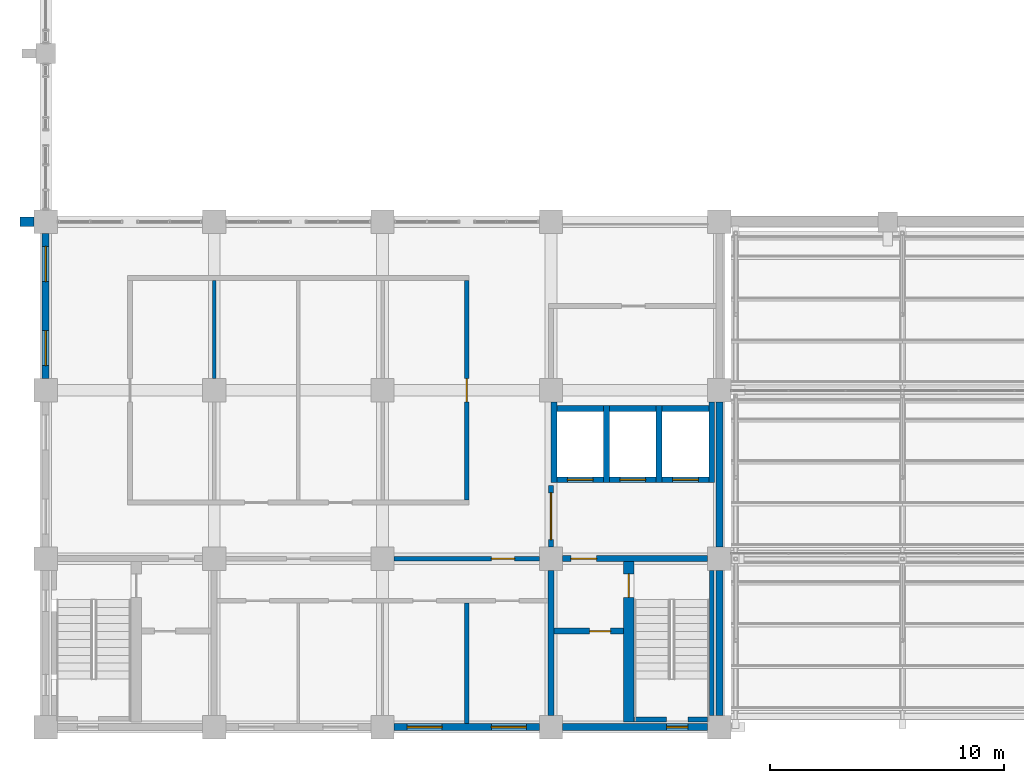
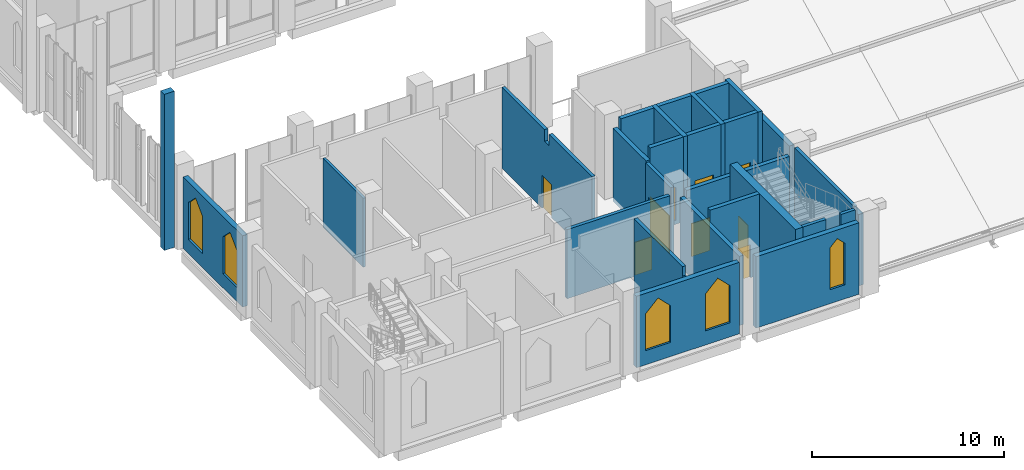
# One storey, part 70 of 83: 28 walls, 9 doors, 5 windows, 14 openings.
"""IFC4 building model written with IfcOpenShell, lengths in metres."""

from ifc_helpers import new_model, si_unit, direction, frame, frame_2d, origin, place, context, subcontext, project, spatial, polyline, rectangle, outline, extrude, material, layer, layer_set, type_object, element, fill, save


model = new_model("IFC4")

# Units and contexts
model_context = context("Model", 3, precision=1e-05, world=origin(), true_north=direction((0.0, 1.0)))
body_context = subcontext(model_context, "Body", "Model", "MODEL_VIEW")
ifc_project = project(units=[si_unit("LENGTHUNIT", "METRE"), si_unit("AREAUNIT", "SQUARE_METRE"), si_unit("VOLUMEUNIT", "CUBIC_METRE"), si_unit("PLANEANGLEUNIT", "RADIAN"), si_unit("MASSUNIT", "GRAM", prefix="KILO")], contexts=[model_context])

# Site, building, storey
site_placement = place(None, origin())
site = spatial("IfcSite", under=ifc_project, at=site_placement, CompositionType="ELEMENT")
building_placement = place(site_placement, origin())
building = spatial("IfcBuilding", under=site, at=building_placement, Name="Silangan Lancet Faculty of Sciences", CompositionType="ELEMENT")
storey_placement = place(building_placement, frame((0.0, 0.0, 11.39990234375)))
storey = spatial("IfcBuildingStorey", under=building, at=storey_placement, Name="L02", CompositionType="ELEMENT", Elevation=11.39990234375)

# Wall, opening, window
ifc_material_1 = material(Name="Concrete C40/50 precast", Category="concrete")
ifc_layer_1 = layer(ifc_material_1, 0.300048828125)
ifc_layer_set_1 = layer_set([ifc_layer_1], Name="Concrete C40/50 precast")
wall_type_1 = type_object("IfcWallType", Name="EW2 Turret enclosure wall", PredefinedType="STANDARD", material=ifc_layer_set_1)
wall_1_placement = place(storey_placement, frame((22.10009765625, 0.0, 0.0), z_axis=(0.0, 0.0, 1.0), x_axis=(1.0, 0.0, 0.0)))
wall_1 = element("IfcWall", 1, at=wall_1_placement, inside=storey, type_object=wall_type_1, Name="EW-L02-S-ST-03", PredefinedType="STANDARD", context=body_context, shape_type="SweptSolid", body=[
    extrude(rectangle(XDim=6.199951171875, YDim=0.300048828125, at=frame_2d((3.10009765625, 0.0))), origin(), (0.0, 0.0, 1.0), 4.550048828125),
])
opening_1_placement = place(wall_1_placement, frame((4.449951171875, 0.0, 0.89990234375)))
opening_1 = element("IfcOpeningElement", 2, at=opening_1_placement, cuts=wall_1, Name="Opening W8", PredefinedType="OPENING", context=body_context, shape_type="SweptSolid", body=[
    extrude(outline(polyline([(0.0, 0.0), (0.89990234375, 0.0), (0.89990234375, 2.650146484375), (0.449951171875, 3.10009765625), (0.0, 2.650146484375), (0.0, 0.0)])), frame((0.0, 0.159912109375, 0.0), z_axis=(0.0, -1.0, 0.0), x_axis=(1.0, 0.0, 0.0)), (0.0, 0.0, 1.0), 0.320068359375),
])
ifc_material_2 = material(Name="Aluminium frame, laminated double glazing", Category="aluminium")
window_type_1 = type_object("IfcWindowType", Name="W8 Lancet window 900 x 3100", PartitioningType="SINGLE_PANEL", PredefinedType="WINDOW", material=ifc_material_2)
window_1_placement = place(opening_1_placement, origin())
window_1 = element("IfcWindow", 3, at=window_1_placement, inside=storey, type_object=window_type_1, Name="WIN-L02-S-ST-03b", OverallHeight=3.10009765625, OverallWidth=0.89990234375, PartitioningType="SINGLE_PANEL", PredefinedType="WINDOW", context=body_context, shape_type="SweptSolid", body=[
    extrude(outline(polyline([(0.0, 0.0), (0.89990234375, 0.0), (0.89990234375, 2.650146484375), (0.449951171875, 3.10009765625), (0.0, 2.650146484375), (0.0, 0.0)])), frame((0.0, 0.030029296875, 0.0), z_axis=(0.0, -1.0, 0.0), x_axis=(1.0, 0.0, 0.0)), (0.0, 0.0, 1.0), 0.06005859375),
])
fill(opening_1, window_1)

# Wall
wall_2_placement = place(storey_placement, frame((28.800048828125, 0.5, 0.0), z_axis=(0.0, 0.0, 1.0), x_axis=(0.0, 1.0, 0.0)))
element("IfcWall", 4, at=wall_2_placement, inside=storey, type_object=wall_type_1, Name="EW-L02-E-ST-00", PredefinedType="STANDARD", context=body_context, shape_type="SweptSolid", body=[
    extrude(rectangle(XDim=6.199951171875, YDim=0.300048828125, at=frame_2d((3.10009765625, 0.0))), origin(), (0.0, 0.0, 1.0), 4.550048828125),
])

# Wall, openings, windows
ifc_material_3 = material(Name="Concrete C40/50", Category="concrete")
ifc_layer_2 = layer(ifc_material_3, 0.300048828125)
ifc_layer_set_2 = layer_set([ifc_layer_2], Name="Concrete C40/50")
wall_type_2 = type_object("IfcWallType", Name="EW6 Stone-faced base wall", PredefinedType="STANDARD", material=ifc_layer_set_2)
wall_3_placement = place(storey_placement, frame((0.0, 14.89990234375, 0.0), z_axis=(0.0, 0.0, 1.0), x_axis=(0.0, 1.0, 0.0)))
wall_3 = element("IfcWall", 5, at=wall_3_placement, inside=storey, type_object=wall_type_2, Name="EW-L02-W-ST-02", PredefinedType="STANDARD", context=body_context, shape_type="SweptSolid", body=[
    extrude(rectangle(XDim=6.2001953125, YDim=0.300048828125, at=frame_2d((3.10009765625, 0.0))), origin(), (0.0, 0.0, 1.0), 4.550048828125),
])
opening_2_placement = place(wall_3_placement, frame((0.550048828125, 0.0, 0.89990234375)))
opening_2 = element("IfcOpeningElement", 6, at=opening_2_placement, cuts=wall_3, Name="Opening W10", PredefinedType="OPENING", context=body_context, shape_type="SweptSolid", body=[
    extrude(outline(polyline([(0.0, 0.0), (1.5, 0.0), (1.5, 2.35009765625), (0.75, 3.10009765625), (0.0, 2.35009765625), (0.0, 0.0)])), frame((0.0, 0.159912109375, 0.0), z_axis=(0.0, -1.0, 0.0), x_axis=(1.0, 0.0, 0.0)), (0.0, 0.0, 1.0), 0.320068359375),
])
opening_3_placement = place(wall_3_placement, frame((4.14990234375, 0.0, 0.89990234375)))
opening_3 = element("IfcOpeningElement", 7, at=opening_3_placement, cuts=wall_3, Name="Opening W10", PredefinedType="OPENING", context=body_context, shape_type="SweptSolid", body=[
    extrude(outline(polyline([(0.0, 0.0), (1.5, 0.0), (1.5, 2.35009765625), (0.75, 3.10009765625), (0.0, 2.35009765625), (0.0, 0.0)])), frame((0.0, 0.159912109375, 0.0), z_axis=(0.0, -1.0, 0.0), x_axis=(1.0, 0.0, 0.0)), (0.0, 0.0, 1.0), 0.320068359375),
])
ifc_material_4 = material(Name="Aluminium frame, laminated double glazing", Category="aluminium")
window_type_2 = type_object("IfcWindowType", Name="W10 Lancet window 1500 x 3100", PartitioningType="SINGLE_PANEL", PredefinedType="WINDOW", material=ifc_material_4)
window_2_placement = place(opening_2_placement, origin())
window_2 = element("IfcWindow", 8, at=window_2_placement, inside=storey, type_object=window_type_2, Name="WIN-L02-W-ST-02a", OverallHeight=3.10009765625, OverallWidth=1.5, PartitioningType="SINGLE_PANEL", PredefinedType="WINDOW", context=body_context, shape_type="SweptSolid", body=[
    extrude(outline(polyline([(0.0, 0.0), (1.5, 0.0), (1.5, 2.35009765625), (0.75, 3.10009765625), (0.0, 2.35009765625), (0.0, 0.0)])), frame((0.0, 0.030029296875, 0.0), z_axis=(0.0, -1.0, 0.0), x_axis=(1.0, 0.0, 0.0)), (0.0, 0.0, 1.0), 0.06005859375),
])
fill(opening_2, window_2)
window_3_placement = place(opening_3_placement, origin())
window_3 = element("IfcWindow", 9, at=window_3_placement, inside=storey, type_object=window_type_2, Name="WIN-L02-W-ST-02b", OverallHeight=3.10009765625, OverallWidth=1.5, PartitioningType="SINGLE_PANEL", PredefinedType="WINDOW", context=body_context, shape_type="SweptSolid", body=[
    extrude(outline(polyline([(0.0, 0.0), (1.5, 0.0), (1.5, 2.35009765625), (0.75, 3.10009765625), (0.0, 2.35009765625), (0.0, 0.0)])), frame((0.0, 0.030029296875, 0.0), z_axis=(0.0, -1.0, 0.0), x_axis=(1.0, 0.0, 0.0)), (0.0, 0.0, 1.0), 0.06005859375),
])
fill(opening_3, window_3)

wall_4_placement = place(storey_placement, frame((14.89990234375, 0.0, 0.0), z_axis=(0.0, 0.0, 1.0), x_axis=(1.0, 0.0, 0.0)))
wall_4 = element("IfcWall", 10, at=wall_4_placement, inside=storey, type_object=wall_type_2, Name="EW-L02-S-ST-02", PredefinedType="STANDARD", context=body_context, shape_type="SweptSolid", body=[
    extrude(rectangle(XDim=6.2001953125, YDim=0.300048828125, at=frame_2d((3.10009765625, 0.0))), origin(), (0.0, 0.0, 1.0), 4.550048828125),
])
opening_4_placement = place(wall_4_placement, frame((0.550048828125, 0.0, 0.89990234375)))
opening_4 = element("IfcOpeningElement", 11, at=opening_4_placement, cuts=wall_4, Name="Opening W10", PredefinedType="OPENING", context=body_context, shape_type="SweptSolid", body=[
    extrude(outline(polyline([(0.0, 0.0), (1.5, 0.0), (1.5, 2.35009765625), (0.75, 3.10009765625), (0.0, 2.35009765625), (0.0, 0.0)])), frame((0.0, 0.159912109375, 0.0), z_axis=(0.0, -1.0, 0.0), x_axis=(1.0, 0.0, 0.0)), (0.0, 0.0, 1.0), 0.320068359375),
])
opening_5_placement = place(wall_4_placement, frame((4.14990234375, 0.0, 0.89990234375)))
opening_5 = element("IfcOpeningElement", 12, at=opening_5_placement, cuts=wall_4, Name="Opening W10", PredefinedType="OPENING", context=body_context, shape_type="SweptSolid", body=[
    extrude(outline(polyline([(0.0, 0.0), (1.5, 0.0), (1.5, 2.35009765625), (0.75, 3.10009765625), (0.0, 2.35009765625), (0.0, 0.0)])), frame((0.0, 0.159912109375, 0.0), z_axis=(0.0, -1.0, 0.0), x_axis=(1.0, 0.0, 0.0)), (0.0, 0.0, 1.0), 0.320068359375),
])
window_4_placement = place(opening_4_placement, origin())
window_4 = element("IfcWindow", 13, at=window_4_placement, inside=storey, type_object=window_type_2, Name="WIN-L02-S-ST-02a", OverallHeight=3.10009765625, OverallWidth=1.5, PartitioningType="SINGLE_PANEL", PredefinedType="WINDOW", context=body_context, shape_type="SweptSolid", body=[
    extrude(outline(polyline([(0.0, 0.0), (1.5, 0.0), (1.5, 2.35009765625), (0.75, 3.10009765625), (0.0, 2.35009765625), (0.0, 0.0)])), frame((0.0, 0.030029296875, 0.0), z_axis=(0.0, -1.0, 0.0), x_axis=(1.0, 0.0, 0.0)), (0.0, 0.0, 1.0), 0.06005859375),
])
fill(opening_4, window_4)
window_5_placement = place(opening_5_placement, origin())
window_5 = element("IfcWindow", 14, at=window_5_placement, inside=storey, type_object=window_type_2, Name="WIN-L02-S-ST-02b", OverallHeight=3.10009765625, OverallWidth=1.5, PartitioningType="SINGLE_PANEL", PredefinedType="WINDOW", context=body_context, shape_type="SweptSolid", body=[
    extrude(outline(polyline([(0.0, 0.0), (1.5, 0.0), (1.5, 2.35009765625), (0.75, 3.10009765625), (0.0, 2.35009765625), (0.0, 0.0)])), frame((0.0, 0.030029296875, 0.0), z_axis=(0.0, -1.0, 0.0), x_axis=(1.0, 0.0, 0.0)), (0.0, 0.0, 1.0), 0.06005859375),
])
fill(opening_5, window_5)

# Walls
wall_5_placement = place(storey_placement, frame((28.800048828125, 7.699951171875, 0.0), z_axis=(0.0, 0.0, 1.0), x_axis=(0.0, 1.0, 0.0)))
element("IfcWall", 15, at=wall_5_placement, inside=storey, type_object=wall_type_2, Name="EW-L02-E-ST-01", PredefinedType="STANDARD", context=body_context, shape_type="SweptSolid", body=[
    extrude(rectangle(XDim=6.199951171875, YDim=0.300048828125, at=frame_2d((3.10009765625, 0.0))), origin(), (0.0, 0.0, 1.0), 4.550048828125),
])
ifc_material_5 = material(Name="Concrete C40/50 precast", Category="concrete")
ifc_layer_3 = layer(ifc_material_5, 0.39990234375)
ifc_layer_set_3 = layer_set([ifc_layer_3], Name="Concrete C40/50 precast")
wall_type_3 = type_object("IfcWallType", Name="FN20 Buttress Fin column line stage 1 9950", PredefinedType="POLYGONAL", material=ifc_layer_set_3)
wall_6_placement = place(storey_placement, frame((-0.5, 21.60009765625, 0.0), z_axis=(0.0, 0.0, 1.0), x_axis=(-1.0, 0.0, 0.0)))
element("IfcWall", 16, at=wall_6_placement, inside=storey, type_object=wall_type_3, Name="FINC-W-NAVE-01", PredefinedType="POLYGONAL", context=body_context, shape_type="SweptSolid", body=[
    extrude(outline(polyline([(0.60009765625, 0.0), (0.60009765625, 9.9501953125), (0.0, 9.9501953125), (0.0, 0.0), (0.60009765625, 0.0)])), frame((0.0, 0.199951171875, 0.0), z_axis=(0.0, -1.0, 0.0), x_axis=(1.0, 0.0, 0.0)), (0.0, 0.0, 1.0), 0.39990234375),
])

# Wall, opening, door
ifc_material_6 = material(Name="Hollow block masonry fm 7 MPa", Category="masonry")
ifc_layer_4 = layer(ifc_material_6, 0.199951171875)
ifc_layer_set_4 = layer_set([ifc_layer_4], Name="Hollow block masonry fm 7 MPa")
wall_type_4 = type_object("IfcWallType", Name="Interior wall PW1 Corridor wall CHB 200", PredefinedType="PARTITIONING", material=ifc_layer_set_4)
wall_7_placement = place(storey_placement, frame((14.89990234375, 7.199951171875, 0.0), z_axis=(0.0, 0.0, 1.0), x_axis=(1.0, 0.0, 0.0)))
wall_7 = element("IfcWall", 17, at=wall_7_placement, inside=storey, type_object=wall_type_4, Name="Corridor wall CHB 200", PredefinedType="PARTITIONING", context=body_context, shape_type="SweptSolid", body=[
    extrude(rectangle(XDim=6.2001953125, YDim=0.199951171875, at=frame_2d((3.10009765625, 0.0))), origin(), (0.0, 0.0, 1.0), 4.400146484375),
])
opening_6_placement = place(wall_7_placement, frame((4.150146484375, 0.0, 0.0)))
opening_6 = element("IfcOpeningElement", 18, at=opening_6_placement, cuts=wall_7, Name="Opening L02-003", PredefinedType="OPENING", context=body_context, shape_type="SweptSolid", body=[
    extrude(rectangle(XDim=1.0, YDim=2.10009765625, at=frame_2d((0.5, 1.050048828125))), frame((0.0, 0.10986328125, 0.0), z_axis=(0.0, -1.0, 0.0), x_axis=(1.0, 0.0, 0.0)), (0.0, 0.0, 1.0), 0.219970703125),
])
ifc_material_7 = material(Name="Steel fire door set", Category="steel")
door_type_1 = type_object("IfcDoorType", Name="Door D1 Single leaf fire door 1000 x 2100", OperationType="SINGLE_SWING_LEFT", PredefinedType="DOOR", material=ifc_material_7)
door_1_placement = place(opening_6_placement, frame((1.0, 0.0, 0.0), z_axis=(0.0, 0.0, 1.0), x_axis=(-1.0, 0.0, 0.0)))
door_1 = element("IfcDoor", 19, at=door_1_placement, inside=storey, type_object=door_type_1, Name="Single leaf fire door 1000 x 2100", OperationType="SINGLE_SWING_RIGHT", OverallHeight=2.10009765625, OverallWidth=1.0, PredefinedType="DOOR", context=body_context, shape_type="SweptSolid", body=[
    extrude(rectangle(XDim=1.0, YDim=2.10009765625, at=frame_2d((0.5, 1.050048828125))), frame((0.0, 0.025146484375, 0.0), z_axis=(0.0, -1.0, 0.0), x_axis=(1.0, 0.0, 0.0)), (0.0, 0.0, 1.0), 0.050048828125),
])
fill(opening_6, door_1)

wall_8_placement = place(storey_placement, frame((18.0, 9.699951171875, 0.0), z_axis=(0.0, 0.0, 1.0), x_axis=(0.0, 1.0, 0.0)))
wall_8 = element("IfcWall", 20, at=wall_8_placement, inside=storey, type_object=wall_type_4, Name="Corridor wall CHB 200", PredefinedType="PARTITIONING", context=body_context, shape_type="SweptSolid", body=[
    extrude(outline(polyline([(0.0, 0.0), (9.400146484375, 0.0), (9.400146484375, 5.150146484375), (4.949951171875, 5.150146484375), (4.949951171875, 4.400146484375), (4.449951171875, 4.400146484375), (4.449951171875, 5.150146484375), (0.0, 5.150146484375), (0.0, 0.0)])), frame((0.0, 0.10009765625, 0.0), z_axis=(0.0, -1.0, 0.0), x_axis=(1.0, 0.0, 0.0)), (0.0, 0.0, 1.0), 0.199951171875),
])
opening_7_placement = place(wall_8_placement, frame((4.199951171875, 0.0, 0.0)))
opening_7 = element("IfcOpeningElement", 21, at=opening_7_placement, cuts=wall_8, Name="Opening L02-016", PredefinedType="OPENING", context=body_context, shape_type="SweptSolid", body=[
    extrude(rectangle(XDim=1.0, YDim=2.10009765625, at=frame_2d((0.5, 1.050048828125))), frame((0.0, 0.10986328125, 0.0), z_axis=(0.0, -1.0, 0.0), x_axis=(1.0, 0.0, 0.0)), (0.0, 0.0, 1.0), 0.219970703125),
])
door_2_placement = place(opening_7_placement, origin())
door_2 = element("IfcDoor", 22, at=door_2_placement, inside=storey, type_object=door_type_1, Name="Single leaf fire door 1000 x 2100", OperationType="SINGLE_SWING_RIGHT", OverallHeight=2.10009765625, OverallWidth=1.0, PredefinedType="DOOR", context=body_context, shape_type="SweptSolid", body=[
    extrude(rectangle(XDim=1.0, YDim=2.10009765625, at=frame_2d((0.5, 1.050048828125))), frame((0.0, 0.02490234375, 0.0), z_axis=(0.0, -1.0, 0.0), x_axis=(1.0, 0.0, 0.0)), (0.0, 0.0, 1.0), 0.050048828125),
])
fill(opening_7, door_2)

# Walls
ifc_material_8 = material(Name="Hollow block masonry fm 7 MPa", Category="masonry")
ifc_layer_5 = layer(ifc_material_8, 0.14990234375)
ifc_layer_set_5 = layer_set([ifc_layer_5], Name="Hollow block masonry fm 7 MPa")
wall_type_5 = type_object("IfcWallType", Name="Interior wall PW3 Partition CHB 150", PredefinedType="PARTITIONING", material=ifc_layer_set_5)
wall_9_placement = place(storey_placement, frame((7.199951171875, 14.89990234375, 0.0), z_axis=(0.0, 0.0, 1.0), x_axis=(0.0, 1.0, 0.0)))
element("IfcWall", 23, at=wall_9_placement, inside=storey, type_object=wall_type_5, Name="Partition CHB 150", PredefinedType="PARTITIONING", context=body_context, shape_type="SweptSolid", body=[
    extrude(rectangle(XDim=4.2001953125, YDim=0.14990234375, at=frame_2d((2.10009765625, 0.0))), origin(), (0.0, 0.0, 1.0), 4.400146484375),
])
ifc_material_9 = material(Name="Hollow block masonry fm 7 MPa", Category="masonry")
ifc_layer_6 = layer(ifc_material_9, 0.199951171875)
ifc_layer_set_6 = layer_set([ifc_layer_6], Name="Hollow block masonry fm 7 MPa")
wall_type_6 = type_object("IfcWallType", Name="Interior wall PW4 Laboratory separation CHB 200", PredefinedType="PARTITIONING", material=ifc_layer_set_6)
wall_10_placement = place(storey_placement, frame((18.0, 0.14990234375, 0.0), z_axis=(0.0, 0.0, 1.0), x_axis=(0.0, 1.0, 0.0)))
element("IfcWall", 24, at=wall_10_placement, inside=storey, type_object=wall_type_6, Name="Laboratory separation CHB 200", PredefinedType="PARTITIONING", context=body_context, shape_type="SweptSolid", body=[
    extrude(outline(polyline([(0.0, 0.0), (5.150146484375, 0.0), (5.150146484375, 5.150146484375), (0.10009765625, 5.150146484375), (0.10009765625, 4.550048828125), (0.0, 4.550048828125), (0.0, 0.0)])), frame((0.0, 0.10009765625, 0.0), z_axis=(0.0, -1.0, 0.0), x_axis=(1.0, 0.0, 0.0)), (0.0, 0.0, 1.0), 0.199951171875),
])

# Wall, opening, door
ifc_material_10 = material(Name="Hollow block masonry fm 7 MPa", Category="masonry")
ifc_layer_7 = layer(ifc_material_10, 0.199951171875)
ifc_layer_set_7 = layer_set([ifc_layer_7], Name="Hollow block masonry fm 7 MPa")
wall_type_7 = type_object("IfcWallType", Name="Interior wall PW9 Lift lobby wall CHB 200", PredefinedType="PARTITIONING", material=ifc_layer_set_7)
wall_11_placement = place(storey_placement, frame((21.60009765625, 7.699951171875, 0.0), z_axis=(0.0, 0.0, 1.0), x_axis=(0.0, 1.0, 0.0)))
wall_11 = element("IfcWall", 25, at=wall_11_placement, inside=storey, type_object=wall_type_7, Name="Lift lobby wall CHB 200", PredefinedType="PARTITIONING", context=body_context, shape_type="SweptSolid", body=[
    extrude(rectangle(XDim=2.625, YDim=0.199951171875, at=frame_2d((1.3125, 0.0))), origin(), (0.0, 0.0, 1.0), 4.400146484375),
])
opening_8_placement = place(wall_11_placement, frame((0.3125, 0.0, 0.0)))
opening_8 = element("IfcOpeningElement", 26, at=opening_8_placement, cuts=wall_11, Name="Opening L02-001", PredefinedType="OPENING", context=body_context, shape_type="SweptSolid", body=[
    extrude(rectangle(XDim=2.0, YDim=2.39990234375, at=frame_2d((1.0, 1.199951171875))), frame((0.0, 0.10986328125, 0.0), z_axis=(0.0, -1.0, 0.0), x_axis=(1.0, 0.0, 0.0)), (0.0, 0.0, 1.0), 0.219970703125),
])
ifc_material_11 = material(Name="Steel fire door set", Category="steel")
door_type_2 = type_object("IfcDoorType", Name="Door D5 Lift lobby double fire door 2000 x 2400", OperationType="DOUBLE_DOOR_SINGLE_SWING", PredefinedType="DOOR", material=ifc_material_11)
door_3_placement = place(opening_8_placement, origin())
door_3 = element("IfcDoor", 27, at=door_3_placement, inside=storey, type_object=door_type_2, Name="Lift lobby double fire door 2000 x 2400", OperationType="DOUBLE_DOOR_SINGLE_SWING", OverallHeight=2.39990234375, OverallWidth=2.0, PredefinedType="DOOR", context=body_context, shape_type="SweptSolid", body=[
    extrude(rectangle(XDim=2.0, YDim=2.39990234375, at=frame_2d((1.0, 1.199951171875))), frame((0.0, 0.02490234375, 0.0), z_axis=(0.0, -1.0, 0.0), x_axis=(1.0, 0.0, 0.0)), (0.0, 0.0, 1.0), 0.050048828125),
])
fill(opening_8, door_3)

# Walls
ifc_material_12 = material(Name="Concrete C40/50", Category="concrete")
ifc_layer_8 = layer(ifc_material_12, 0.25)
ifc_layer_set_8 = layer_set([ifc_layer_8], Name="Concrete C40/50")
wall_type_8 = type_object("IfcWallType", Name="LIFT SHAFT WALL RC 250", PredefinedType="SHEAR", material=ifc_layer_set_8)
wall_12_placement = place(storey_placement, frame((21.72509765625, 10.449951171875, -0.25), z_axis=(0.0, 0.0, 1.0), x_axis=(0.0, 1.0, 0.0)))
element("IfcWall", 28, at=wall_12_placement, inside=storey, type_object=wall_type_8, Name="WALL-L02-ST-SW1", PredefinedType="SHEAR", context=body_context, shape_type="SweptSolid", body=[
    extrude(rectangle(XDim=3.449951171875, YDim=0.25, at=frame_2d((1.72509765625, 0.0))), origin(), (0.0, 0.0, 1.0), 4.650146484375),
])
for number, where, z_axis, x_axis, name in (
    (29, (23.97509765625, 10.449951171875, -0.25), (0.0, 0.0, 1.0), (0.0, 1.0, 0.0), "WALL-L02-ST-SW2"),
    (30, (26.22509765625, 10.449951171875, -0.25), (0.0, 0.0, 1.0), (0.0, 1.0, 0.0), "WALL-L02-ST-SW3"),
):
    element("IfcWall", number, at=place(storey_placement, frame(where, z_axis=z_axis, x_axis=x_axis)), inside=storey, type_object=wall_type_8, Name=name, PredefinedType="SHEAR", context=body_context, shape_type="SweptSolid", body=[
        extrude(rectangle(XDim=3.300048828125, YDim=0.25, at=frame_2d((1.64990234375, 0.0))), origin(), (0.0, 0.0, 1.0), 5.400146484375),
    ])
wall_13_placement = place(storey_placement, frame((28.47509765625, 10.449951171875, -0.25), z_axis=(0.0, 0.0, 1.0), x_axis=(0.0, 1.0, 0.0)))
element("IfcWall", 31, at=wall_13_placement, inside=storey, type_object=wall_type_8, Name="WALL-L02-ST-SW4", PredefinedType="SHEAR", context=body_context, shape_type="SweptSolid", body=[
    extrude(rectangle(XDim=3.449951171875, YDim=0.25, at=frame_2d((1.72509765625, 0.0))), origin(), (0.0, 0.0, 1.0), 5.400146484375),
])

# Wall, opening, door
wall_14_placement = place(storey_placement, frame((21.85009765625, 10.574951171875, -0.25), z_axis=(0.0, 0.0, 1.0), x_axis=(1.0, 0.0, 0.0)))
wall_14 = element("IfcWall", 32, at=wall_14_placement, inside=storey, type_object=wall_type_8, Name="WALL-L02-ST-L1-F", PredefinedType="SHEAR", context=body_context, shape_type="SweptSolid", body=[
    extrude(rectangle(XDim=2.0, YDim=0.25, at=frame_2d((1.0, 0.0))), origin(), (0.0, 0.0, 1.0), 5.400146484375),
])
opening_9_placement = place(wall_14_placement, frame((0.449951171875, 0.0, 0.25)))
opening_9 = element("IfcOpeningElement", 33, at=opening_9_placement, cuts=wall_14, Name="Opening L02-807", PredefinedType="OPENING", context=body_context, shape_type="SweptSolid", body=[
    extrude(rectangle(XDim=1.10009765625, YDim=2.10009765625, at=frame_2d((0.550048828125, 1.050048828125))), frame((0.0, 0.135009765625, 0.0), z_axis=(0.0, -1.0, 0.0), x_axis=(1.0, 0.0, 0.0)), (0.0, 0.0, 1.0), 0.27001953125),
])
ifc_material_13 = material(Name="Stainless steel sliding door", Category="steel")
door_type_3 = type_object("IfcDoorType", Name="LD1 Lift landing door 1100x2100", OperationType="SLIDING_TO_LEFT", PredefinedType="DOOR", material=ifc_material_13)
door_4_placement = place(opening_9_placement, origin())
door_4 = element("IfcDoor", 34, at=door_4_placement, inside=storey, type_object=door_type_3, Name="Landing door ST-L1 L02", OperationType="SLIDING_TO_LEFT", OverallHeight=2.10009765625, OverallWidth=1.10009765625, PredefinedType="DOOR", context=body_context, shape_type="SweptSolid", body=[
    extrude(rectangle(XDim=1.10009765625, YDim=2.10009765625, at=frame_2d((0.550048828125, 1.050048828125))), frame((0.0, 0.02490234375, 0.0), z_axis=(0.0, -1.0, 0.0), x_axis=(1.0, 0.0, 0.0)), (0.0, 0.0, 1.0), 0.050048828125),
])
fill(opening_9, door_4)

# Wall
wall_15_placement = place(storey_placement, frame((21.85009765625, 13.625, -0.25), z_axis=(0.0, 0.0, 1.0), x_axis=(1.0, 0.0, 0.0)))
element("IfcWall", 35, at=wall_15_placement, inside=storey, type_object=wall_type_8, Name="WALL-L02-ST-L1-B", PredefinedType="SHEAR", context=body_context, shape_type="SweptSolid", body=[
    extrude(rectangle(XDim=2.0, YDim=0.25, at=frame_2d((1.0, 0.0))), origin(), (0.0, 0.0, 1.0), 5.400146484375),
])

# Wall, opening, door
wall_16_placement = place(storey_placement, frame((24.10009765625, 10.574951171875, -0.25), z_axis=(0.0, 0.0, 1.0), x_axis=(1.0, 0.0, 0.0)))
wall_16 = element("IfcWall", 36, at=wall_16_placement, inside=storey, type_object=wall_type_8, Name="WALL-L02-ST-L2-F", PredefinedType="SHEAR", context=body_context, shape_type="SweptSolid", body=[
    extrude(rectangle(XDim=2.0, YDim=0.25, at=frame_2d((1.0, 0.0))), origin(), (0.0, 0.0, 1.0), 5.400146484375),
])
opening_10_placement = place(wall_16_placement, frame((0.449951171875, 0.0, 0.25)))
opening_10 = element("IfcOpeningElement", 37, at=opening_10_placement, cuts=wall_16, Name="Opening L02-808", PredefinedType="OPENING", context=body_context, shape_type="SweptSolid", body=[
    extrude(rectangle(XDim=1.10009765625, YDim=2.10009765625, at=frame_2d((0.550048828125, 1.050048828125))), frame((0.0, 0.135009765625, 0.0), z_axis=(0.0, -1.0, 0.0), x_axis=(1.0, 0.0, 0.0)), (0.0, 0.0, 1.0), 0.27001953125),
])
door_5_placement = place(opening_10_placement, origin())
door_5 = element("IfcDoor", 38, at=door_5_placement, inside=storey, type_object=door_type_3, Name="Landing door ST-L2 L02", OperationType="SLIDING_TO_LEFT", OverallHeight=2.10009765625, OverallWidth=1.10009765625, PredefinedType="DOOR", context=body_context, shape_type="SweptSolid", body=[
    extrude(rectangle(XDim=1.10009765625, YDim=2.10009765625, at=frame_2d((0.550048828125, 1.050048828125))), frame((0.0, 0.02490234375, 0.0), z_axis=(0.0, -1.0, 0.0), x_axis=(1.0, 0.0, 0.0)), (0.0, 0.0, 1.0), 0.050048828125),
])
fill(opening_10, door_5)

# Wall
wall_17_placement = place(storey_placement, frame((24.10009765625, 13.625, -0.25), z_axis=(0.0, 0.0, 1.0), x_axis=(1.0, 0.0, 0.0)))
element("IfcWall", 39, at=wall_17_placement, inside=storey, type_object=wall_type_8, Name="WALL-L02-ST-L2-B", PredefinedType="SHEAR", context=body_context, shape_type="SweptSolid", body=[
    extrude(rectangle(XDim=2.0, YDim=0.25, at=frame_2d((1.0, 0.0))), origin(), (0.0, 0.0, 1.0), 5.400146484375),
])

# Wall, opening, door
wall_18_placement = place(storey_placement, frame((26.35009765625, 10.574951171875, -0.25), z_axis=(0.0, 0.0, 1.0), x_axis=(1.0, 0.0, 0.0)))
wall_18 = element("IfcWall", 40, at=wall_18_placement, inside=storey, type_object=wall_type_8, Name="WALL-L02-ST-L3-F", PredefinedType="SHEAR", context=body_context, shape_type="SweptSolid", body=[
    extrude(rectangle(XDim=2.0, YDim=0.25, at=frame_2d((1.0, 0.0))), origin(), (0.0, 0.0, 1.0), 5.400146484375),
])
opening_11_placement = place(wall_18_placement, frame((0.449951171875, 0.0, 0.25)))
opening_11 = element("IfcOpeningElement", 41, at=opening_11_placement, cuts=wall_18, Name="Opening L02-809", PredefinedType="OPENING", context=body_context, shape_type="SweptSolid", body=[
    extrude(rectangle(XDim=1.10009765625, YDim=2.10009765625, at=frame_2d((0.550048828125, 1.050048828125))), frame((0.0, 0.135009765625, 0.0), z_axis=(0.0, -1.0, 0.0), x_axis=(1.0, 0.0, 0.0)), (0.0, 0.0, 1.0), 0.27001953125),
])
door_6_placement = place(opening_11_placement, origin())
door_6 = element("IfcDoor", 42, at=door_6_placement, inside=storey, type_object=door_type_3, Name="Landing door ST-L3 L02", OperationType="SLIDING_TO_LEFT", OverallHeight=2.10009765625, OverallWidth=1.10009765625, PredefinedType="DOOR", context=body_context, shape_type="SweptSolid", body=[
    extrude(rectangle(XDim=1.10009765625, YDim=2.10009765625, at=frame_2d((0.550048828125, 1.050048828125))), frame((0.0, 0.02490234375, 0.0), z_axis=(0.0, -1.0, 0.0), x_axis=(1.0, 0.0, 0.0)), (0.0, 0.0, 1.0), 0.050048828125),
])
fill(opening_11, door_6)

# Wall
wall_19_placement = place(storey_placement, frame((26.35009765625, 13.625, -0.25), z_axis=(0.0, 0.0, 1.0), x_axis=(1.0, 0.0, 0.0)))
element("IfcWall", 43, at=wall_19_placement, inside=storey, type_object=wall_type_8, Name="WALL-L02-ST-L3-B", PredefinedType="SHEAR", context=body_context, shape_type="SweptSolid", body=[
    extrude(rectangle(XDim=2.0, YDim=0.25, at=frame_2d((1.0, 0.0))), origin(), (0.0, 0.0, 1.0), 5.400146484375),
])

# Wall, opening, door
ifc_material_14 = material(Name="Concrete C40/50", Category="concrete")
ifc_layer_9 = layer(ifc_material_14, 0.449951171875)
ifc_layer_set_9 = layer_set([ifc_layer_9], Name="Concrete C40/50")
wall_type_9 = type_object("IfcWallType", Name="TURRET CORE WALL RC 450", PredefinedType="SHEAR", material=ifc_layer_set_9)
wall_20_placement = place(storey_placement, frame((24.925048828125, 0.22509765625, 0.0), z_axis=(0.0, 0.0, 1.0), x_axis=(0.0, 1.0, 0.0)))
wall_20 = element("IfcWall", 44, at=wall_20_placement, inside=storey, type_object=wall_type_9, Name="WALL-L02-ST-B-WELL", PredefinedType="SHEAR", context=body_context, shape_type="SweptSolid", body=[
    extrude(rectangle(XDim=6.849853515625, YDim=0.449951171875, at=frame_2d((3.4248046875, 0.0))), origin(), (0.0, 0.0, 1.0), 5.150146484375),
])
opening_12_placement = place(wall_20_placement, frame((5.324951171875, 0.0, 0.0)))
opening_12 = element("IfcOpeningElement", 45, at=opening_12_placement, cuts=wall_20, Name="Opening L02-716", PredefinedType="OPENING", context=body_context, shape_type="SweptSolid", body=[
    extrude(rectangle(XDim=1.0, YDim=2.10009765625, at=frame_2d((0.5, 1.050048828125))), frame((0.0, 0.23486328125, 0.0), z_axis=(0.0, -1.0, 0.0), x_axis=(1.0, 0.0, 0.0)), (0.0, 0.0, 1.0), 0.469970703125),
])
ifc_material_15 = material(Name="Steel fire door set", Category="steel")
door_type_4 = type_object("IfcDoorType", Name="D71 Stair enclosure door 1000x2100", OperationType="SINGLE_SWING_LEFT", PredefinedType="DOOR", material=ifc_material_15)
door_7_placement = place(opening_12_placement, frame((1.0, 0.0, 0.0), z_axis=(0.0, 0.0, 1.0), x_axis=(-1.0, 0.0, 0.0)))
door_7 = element("IfcDoor", 46, at=door_7_placement, inside=storey, type_object=door_type_4, Name="Stair enclosure door ST-B L02", OperationType="SINGLE_SWING_LEFT", OverallHeight=2.10009765625, OverallWidth=1.0, PredefinedType="DOOR", context=body_context, shape_type="SweptSolid", body=[
    extrude(rectangle(XDim=1.0, YDim=2.10009765625, at=frame_2d((0.5, 1.050048828125))), frame((0.0, 0.025146484375, 0.0), z_axis=(0.0, -1.0, 0.0), x_axis=(1.0, 0.0, 0.0)), (0.0, 0.0, 1.0), 0.050048828125),
])
fill(opening_12, door_7)

# Walls
ifc_material_16 = material(Name="Concrete C40/50", Category="concrete")
ifc_layer_10 = layer(ifc_material_16, 0.199951171875)
ifc_layer_set_10 = layer_set([ifc_layer_10], Name="Concrete C40/50")
wall_type_10 = type_object("IfcWallType", Name="TURRET LINING WALL RC 200", PredefinedType="SHEAR", material=ifc_layer_set_10)
wall_21_placement = place(storey_placement, frame((28.47509765625, 0.5, -0.25), z_axis=(0.0, 0.0, 1.0), x_axis=(0.0, 1.0, 0.0)))
element("IfcWall", 47, at=wall_21_placement, inside=storey, type_object=wall_type_10, Name="WALL-L02-ST-B-WL", PredefinedType="SHEAR", context=body_context, shape_type="SweptSolid", body=[
    extrude(rectangle(XDim=6.199951171875, YDim=0.199951171875, at=frame_2d((3.10009765625, 0.0))), origin(), (0.0, 0.0, 1.0), 5.400146484375),
])
wall_22_placement = place(storey_placement, frame((25.14990234375, 0.324951171875, -0.25), z_axis=(0.0, 0.0, 1.0), x_axis=(1.0, 0.0, 0.0)))
element("IfcWall", 48, at=wall_22_placement, inside=storey, type_object=wall_type_10, Name="WALL-L02-ST-B-WLD", PredefinedType="SHEAR", context=body_context, shape_type="SweptSolid", body=[
    extrude(rectangle(XDim=1.400146484375, YDim=0.199951171875, at=frame_2d((0.7001953125, 0.0))), origin(), (0.0, 0.0, 1.0), 5.400146484375),
])
wall_23_placement = place(storey_placement, frame((27.449951171875, 0.324951171875, -0.25), z_axis=(0.0, 0.0, 1.0), x_axis=(1.0, 0.0, 0.0)))
element("IfcWall", 49, at=wall_23_placement, inside=storey, type_object=wall_type_10, Name="WALL-L02-ST-B-WLD-2", PredefinedType="SHEAR", context=body_context, shape_type="SweptSolid", body=[
    extrude(rectangle(XDim=0.85009765625, YDim=0.199951171875, at=frame_2d((0.425048828125, 0.0))), origin(), (0.0, 0.0, 1.0), 5.400146484375),
])

# Wall, opening, door
ifc_material_17 = material(Name="Concrete C40/50", Category="concrete")
ifc_layer_11 = layer(ifc_material_17, 0.25)
ifc_layer_set_11 = layer_set([ifc_layer_11], Name="Concrete C40/50")
wall_type_11 = type_object("IfcWallType", Name="TURRET WALL RC 250", PredefinedType="SHEAR", material=ifc_layer_set_11)
wall_24_placement = place(storey_placement, frame((22.10009765625, 7.199951171875, 0.0), z_axis=(0.0, 0.0, 1.0), x_axis=(1.0, 0.0, 0.0)))
wall_24 = element("IfcWall", 50, at=wall_24_placement, inside=storey, type_object=wall_type_11, Name="WALL-L02-ST-B-V", PredefinedType="SHEAR", context=body_context, shape_type="SweptSolid", body=[
    extrude(rectangle(XDim=6.199951171875, YDim=0.25, at=frame_2d((3.10009765625, 0.0))), origin(), (0.0, 0.0, 1.0), 4.400146484375),
])
opening_13_placement = place(wall_24_placement, frame((0.35009765625, 0.0, 0.0)))
opening_13 = element("IfcOpeningElement", 51, at=opening_13_placement, cuts=wall_24, Name="Opening L02-717", PredefinedType="OPENING", context=body_context, shape_type="SweptSolid", body=[
    extrude(rectangle(XDim=1.10009765625, YDim=2.10009765625, at=frame_2d((0.550048828125, 1.050048828125))), frame((0.0, 0.135009765625, 0.0), z_axis=(0.0, -1.0, 0.0), x_axis=(1.0, 0.0, 0.0)), (0.0, 0.0, 1.0), 0.27001953125),
])
ifc_material_18 = material(Name="Steel fire door set", Category="steel")
door_type_5 = type_object("IfcDoorType", Name="D70 Stair vestibule door 1100x2100", OperationType="SINGLE_SWING_LEFT", PredefinedType="DOOR", material=ifc_material_18)
door_8_placement = place(opening_13_placement, frame((1.10009765625, 0.0, 0.0), z_axis=(0.0, 0.0, 1.0), x_axis=(-1.0, 0.0, 0.0)))
door_8 = element("IfcDoor", 52, at=door_8_placement, inside=storey, type_object=door_type_5, Name="Stair vestibule door ST-B L02", OperationType="SINGLE_SWING_RIGHT", OverallHeight=2.10009765625, OverallWidth=1.10009765625, PredefinedType="DOOR", context=body_context, shape_type="SweptSolid", body=[
    extrude(rectangle(XDim=1.10009765625, YDim=2.10009765625, at=frame_2d((0.550048828125, 1.050048828125))), frame((0.0, 0.025146484375, 0.0), z_axis=(0.0, -1.0, 0.0), x_axis=(1.0, 0.0, 0.0)), (0.0, 0.0, 1.0), 0.050048828125),
])
fill(opening_13, door_8)

# Wall
wall_25_placement = place(storey_placement, frame((21.60009765625, 0.5, 0.0), z_axis=(0.0, 0.0, 1.0), x_axis=(0.0, 1.0, 0.0)))
element("IfcWall", 53, at=wall_25_placement, inside=storey, type_object=wall_type_11, Name="WALL-L02-ST-B-O", PredefinedType="SHEAR", context=body_context, shape_type="SweptSolid", body=[
    extrude(rectangle(XDim=6.199951171875, YDim=0.25, at=frame_2d((3.10009765625, 0.0))), origin(), (0.0, 0.0, 1.0), 4.400146484375),
])

# Wall, opening, door
wall_26_placement = place(storey_placement, frame((21.72509765625, 4.10009765625, 0.0), z_axis=(0.0, 0.0, 1.0), x_axis=(1.0, 0.0, 0.0)))
wall_26 = element("IfcWall", 54, at=wall_26_placement, inside=storey, type_object=wall_type_11, Name="WALL-L02-ST-B-RISER", PredefinedType="SHEAR", context=body_context, shape_type="SweptSolid", body=[
    extrude(rectangle(XDim=2.974853515625, YDim=0.25, at=frame_2d((1.4873046875, 0.0))), origin(), (0.0, 0.0, 1.0), 5.150146484375),
])
opening_14_placement = place(wall_26_placement, frame((1.52490234375, 0.0, 0.0)))
opening_14 = element("IfcOpeningElement", 55, at=opening_14_placement, cuts=wall_26, Name="Opening L02-718", PredefinedType="OPENING", context=body_context, shape_type="SweptSolid", body=[
    extrude(rectangle(XDim=0.89990234375, YDim=2.10009765625, at=frame_2d((0.449951171875, 1.050048828125))), frame((0.0, 0.135009765625, 0.0), z_axis=(0.0, -1.0, 0.0), x_axis=(1.0, 0.0, 0.0)), (0.0, 0.0, 1.0), 0.27001953125),
])
ifc_material_19 = material(Name="Steel fire door set", Category="steel")
door_type_6 = type_object("IfcDoorType", Name="D72 Riser access door 900x2100", OperationType="SINGLE_SWING_LEFT", PredefinedType="DOOR", material=ifc_material_19)
door_9_placement = place(opening_14_placement, frame((0.89990234375, 0.0, 0.0), z_axis=(0.0, 0.0, 1.0), x_axis=(-1.0, 0.0, 0.0)))
door_9 = element("IfcDoor", 56, at=door_9_placement, inside=storey, type_object=door_type_6, Name="Riser access door ST-B L02", OperationType="SINGLE_SWING_RIGHT", OverallHeight=2.10009765625, OverallWidth=0.89990234375, PredefinedType="DOOR", context=body_context, shape_type="SweptSolid", body=[
    extrude(rectangle(XDim=0.89990234375, YDim=2.10009765625, at=frame_2d((0.449951171875, 1.050048828125))), frame((0.0, 0.025146484375, 0.0), z_axis=(0.0, -1.0, 0.0), x_axis=(1.0, 0.0, 0.0)), (0.0, 0.0, 1.0), 0.050048828125),
])
fill(opening_14, door_9)

save(model, "model.ifc")
